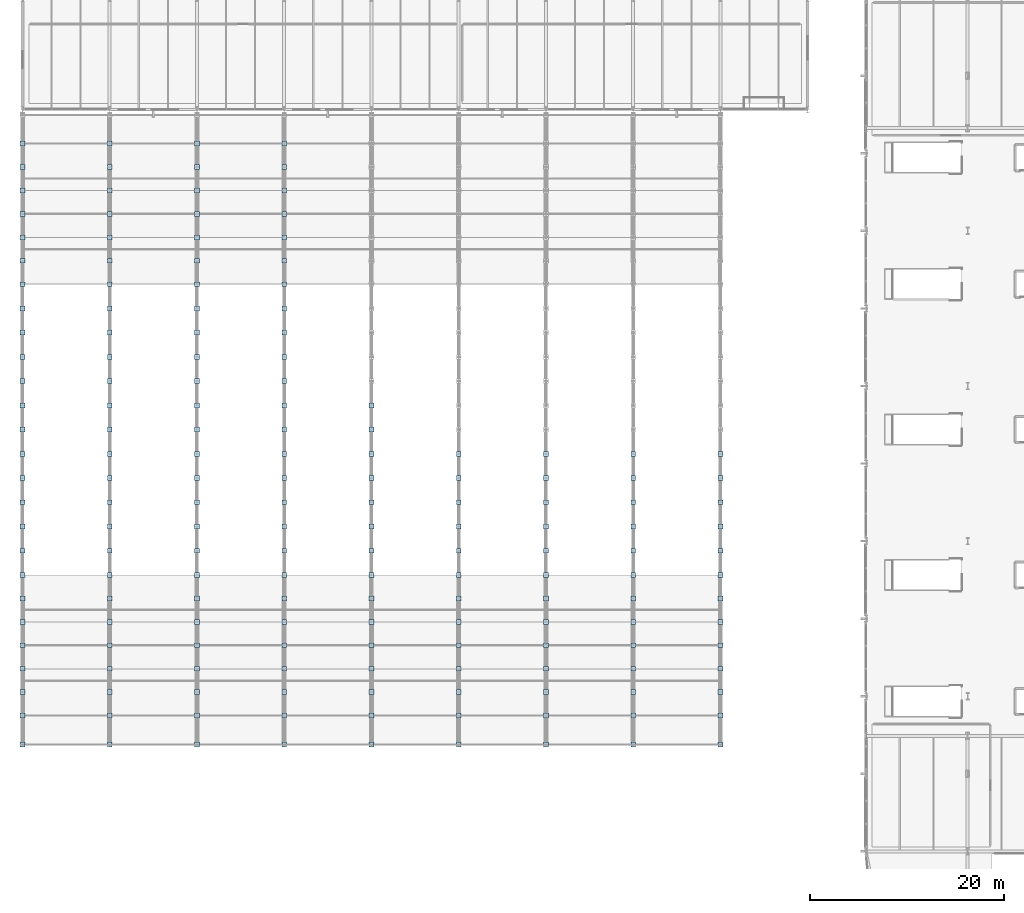
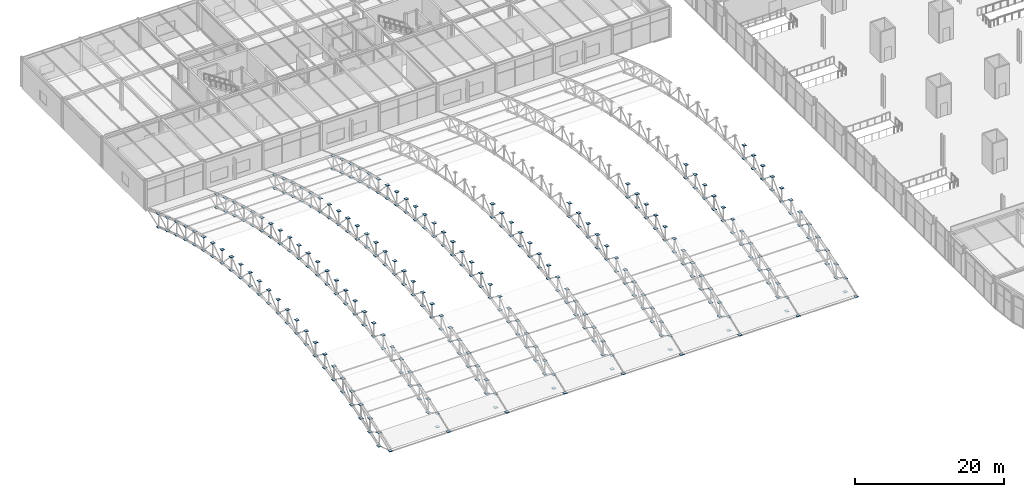
# One storey, part 104 of 195: 333 plates.
"""IFC4 building model written with IfcOpenShell, lengths in metres."""

from ifc_helpers import new_model, si_unit, direction, frame, origin, origin_2d, place, context, subcontext, project, spatial, rectangle, extrude, material, layer, layer_set, type_object, element, save


model = new_model("IFC4")

# Units and contexts
model_context = context("Model", 3, precision=1e-05, world=origin(), true_north=direction((0.0, 1.0)))
body_context = subcontext(model_context, "Body", "Model", "MODEL_VIEW")
ifc_project = project(units=[si_unit("LENGTHUNIT", "METRE"), si_unit("AREAUNIT", "SQUARE_METRE"), si_unit("VOLUMEUNIT", "CUBIC_METRE"), si_unit("PLANEANGLEUNIT", "RADIAN"), si_unit("MASSUNIT", "GRAM", prefix="KILO")], contexts=[model_context])

# Site, building, storey
site_placement = place(None, origin())
site = spatial("IfcSite", under=ifc_project, at=site_placement, CompositionType="ELEMENT")
building_placement = place(site_placement, origin())
building = spatial("IfcBuilding", under=site, at=building_placement, Name="Marlcrest Central Station", CompositionType="ELEMENT")
storey_placement = place(building_placement, frame((0.0, 0.0, 9.800048828125)))
storey = spatial("IfcBuildingStorey", under=building, at=storey_placement, Name="L02", CompositionType="ELEMENT", Elevation=9.800048828125)

# Plates
ifc_material = material(Name="Steel S355", Category="steel")
ifc_layer = layer(ifc_material, 0.02001953125, Name="GP-03")
ifc_layer_set = layer_set([ifc_layer], Name="Steel S355")
plate_type = type_object("IfcPlateType", Name="GP-03", PredefinedType="USERDEFINED", material=ifc_layer_set)
for number, where, z_axis, x_axis, name in (
    (1, (0.0, 33.5, 0.435791015625), (0.0, 0.0, 1.0), (1.0, 0.0, 0.0), "plt-cap-00113"),
    (2, (0.0, 36.5, 1.58984375), (0.0, 0.0, 1.0), (1.0, 0.0, 0.0), "plt-cap-00114"),
    (3, (0.0, 36.5, -0.610107421875), (0.0, 0.0, 1.0), (1.0, 0.0, 0.0), "plt-cap-00115"),
    (4, (0.0, 38.919921875, 0.239501953125), (0.0, 0.0, 1.0), (1.0, 0.0, 0.0), "plt-cap-00116"),
    (5, (0.0, 38.919921875, 2.439453125), (0.0, 0.0, 1.0), (1.0, 0.0, 0.0), "plt-cap-00117"),
    (6, (0.0, 41.330078125, 3.21337890625), (0.0, 0.0, 1.0), (1.0, 0.0, 0.0), "plt-cap-00118"),
    (7, (0.0, 41.330078125, 1.013427734375), (0.0, 0.0, 1.0), (1.0, 0.0, 0.0), "plt-cap-00119"),
    (8, (0.0, 43.75, 1.718017578125), (0.0, 0.0, 1.0), (1.0, 0.0, 0.0), "plt-cap-00120"),
    (9, (0.0, 43.75, 3.91796875), (0.0, 0.0, 1.0), (1.0, 0.0, 0.0), "plt-cap-00121"),
    (10, (0.0, 46.169921875, 4.550048828125), (0.0, 0.0, 1.0), (1.0, 0.0, 0.0), "plt-cap-00122"),
    (11, (0.0, 46.169921875, 2.349853515625), (0.0, 0.0, 1.0), (1.0, 0.0, 0.0), "plt-cap-00123"),
    (12, (0.0, 48.580078125, 2.906982421875), (0.0, 0.0, 1.0), (1.0, 0.0, 0.0), "plt-cap-00124"),
    (13, (0.0, 48.580078125, 5.10693359375), (0.0, 0.0, 1.0), (1.0, 0.0, 0.0), "plt-cap-00125"),
    (14, (0.0, 51.0, 5.59375), (0.0, 0.0, 1.0), (1.0, 0.0, 0.0), "plt-cap-00126"),
    (15, (0.0, 51.0, 3.393798828125), (0.0, 0.0, 1.0), (1.0, 0.0, 0.0), "plt-cap-00127"),
    (16, (0.0, 53.5, 3.820556640625), (0.0, 0.0, 1.0), (1.0, 0.0, 0.0), "plt-cap-00128"),
    (17, (0.0, 53.5, 6.0205078125), (0.0, 0.0, 1.0), (1.0, 0.0, 0.0), "plt-cap-00129"),
    (18, (0.0, 56.0, 6.369384765625), (0.0, 0.0, 1.0), (1.0, 0.0, 0.0), "plt-cap-00130"),
    (19, (0.0, 56.0, 4.16943359375), (0.0, 0.0, 1.0), (1.0, 0.0, 0.0), "plt-cap-00131"),
    (20, (0.0, 58.5, 4.44091796875), (0.0, 0.0, 1.0), (1.0, 0.0, 0.0), "plt-cap-00132"),
    (21, (0.0, 58.5, 6.640869140625), (0.0, 0.0, 1.0), (1.0, 0.0, 0.0), "plt-cap-00133"),
    (22, (0.0, 61.0, 6.8349609375), (0.0, 0.0, 1.0), (1.0, 0.0, 0.0), "plt-cap-00134"),
    (23, (0.0, 61.0, 4.634765625), (0.0, 0.0, 1.0), (1.0, 0.0, 0.0), "plt-cap-00135"),
    (24, (0.0, 63.5, 4.751220703125), (0.0, 0.0, 1.0), (1.0, 0.0, 0.0), "plt-cap-00136"),
    (25, (0.0, 63.5, 6.951171875), (0.0, 0.0, 1.0), (1.0, 0.0, 0.0), "plt-cap-00137"),
    (26, (0.0, 66.0, 6.989990234375), (0.0, 0.0, 1.0), (1.0, 0.0, 0.0), "plt-cap-00138"),
    (27, (0.0, 66.0, 4.7900390625), (0.0, 0.0, 1.0), (1.0, 0.0, 0.0), "plt-cap-00139"),
    (28, (0.0, 68.5, 4.751220703125), (0.0, 0.0, 1.0), (1.0, 0.0, 0.0), "plt-cap-00140"),
    (29, (0.0, 68.5, 6.951171875), (0.0, 0.0, 1.0), (1.0, 0.0, 0.0), "plt-cap-00141"),
    (30, (0.0, 71.0, 6.8349609375), (0.0, 0.0, 1.0), (1.0, 0.0, 0.0), "plt-cap-00142"),
    (31, (0.0, 71.0, 4.634765625), (0.0, 0.0, 1.0), (1.0, 0.0, 0.0), "plt-cap-00143"),
    (32, (0.0, 73.5, 4.44091796875), (0.0, 0.0, 1.0), (1.0, 0.0, 0.0), "plt-cap-00144"),
    (33, (0.0, 73.5, 6.640869140625), (0.0, 0.0, 1.0), (1.0, 0.0, 0.0), "plt-cap-00145"),
    (34, (0.0, 76.0, 6.369384765625), (0.0, 0.0, 1.0), (1.0, 0.0, 0.0), "plt-cap-00146"),
    (35, (0.0, 76.0, 4.16943359375), (0.0, 0.0, 1.0), (1.0, 0.0, 0.0), "plt-cap-00147"),
    (36, (0.0, 78.5, 3.820556640625), (0.0, 0.0, 1.0), (1.0, 0.0, 0.0), "plt-cap-00148"),
    (37, (0.0, 78.5, 6.0205078125), (0.0, 0.0, 1.0), (1.0, 0.0, 0.0), "plt-cap-00149"),
    (38, (0.0, 81.0, 5.59375), (0.0, 0.0, 1.0), (1.0, 0.0, 0.0), "plt-cap-00150"),
    (39, (0.0, 81.0, 3.393798828125), (0.0, 0.0, 1.0), (1.0, 0.0, 0.0), "plt-cap-00151"),
    (40, (0.0, 83.419921875, 2.906982421875), (0.0, 0.0, 1.0), (1.0, 0.0, 0.0), "plt-cap-00152"),
    (41, (0.0, 83.419921875, 5.10693359375), (0.0, 0.0, 1.0), (1.0, 0.0, 0.0), "plt-cap-00153"),
    (42, (0.0, 85.830078125, 4.550048828125), (0.0, 0.0, 1.0), (1.0, 0.0, 0.0), "plt-cap-00154"),
    (43, (0.0, 85.830078125, 2.349853515625), (0.0, 0.0, 1.0), (1.0, 0.0, 0.0), "plt-cap-00155"),
    (44, (0.0, 88.25, 1.718017578125), (0.0, 0.0, 1.0), (1.0, 0.0, 0.0), "plt-cap-00156"),
    (45, (0.0, 88.25, 3.91796875), (0.0, 0.0, 1.0), (1.0, 0.0, 0.0), "plt-cap-00157"),
    (46, (0.0, 90.669921875, 3.21337890625), (0.0, 0.0, 1.0), (1.0, 0.0, 0.0), "plt-cap-00158"),
    (47, (0.0, 90.669921875, 1.013427734375), (0.0, 0.0, 1.0), (1.0, 0.0, 0.0), "plt-cap-00159"),
    (48, (0.0, 93.080078125, 0.239501953125), (0.0, 0.0, 1.0), (1.0, 0.0, 0.0), "plt-cap-00160"),
    (49, (0.0, 95.5, -0.610107421875), (0.0, 0.0, 1.0), (1.0, 0.0, 0.0), "plt-cap-00161"),
    (50, (0.0, 93.080078125, 2.439453125), (0.0, 0.0, 1.0), (1.0, 0.0, 0.0), "plt-cap-00162"),
    (51, (0.0, 95.5, 1.58984375), (0.0, 0.0, 1.0), (1.0, 0.0, 0.0), "plt-cap-00163"),
    (52, (9.0, 33.5, 0.435791015625), (0.0, 0.0, 1.0), (1.0, 0.0, 0.0), "plt-cap-00165"),
    (53, (9.0, 36.5, 1.58984375), (0.0, 0.0, 1.0), (1.0, 0.0, 0.0), "plt-cap-00166"),
    (54, (9.0, 36.5, -0.610107421875), (0.0, 0.0, 1.0), (1.0, 0.0, 0.0), "plt-cap-00167"),
    (55, (9.0, 38.919921875, 0.239501953125), (0.0, 0.0, 1.0), (1.0, 0.0, 0.0), "plt-cap-00168"),
    (56, (9.0, 38.919921875, 2.439453125), (0.0, 0.0, 1.0), (1.0, 0.0, 0.0), "plt-cap-00169"),
    (57, (9.0, 41.330078125, 3.21337890625), (0.0, 0.0, 1.0), (1.0, 0.0, 0.0), "plt-cap-00170"),
    (58, (9.0, 41.330078125, 1.013427734375), (0.0, 0.0, 1.0), (1.0, 0.0, 0.0), "plt-cap-00171"),
    (59, (9.0, 43.75, 1.718017578125), (0.0, 0.0, 1.0), (1.0, 0.0, 0.0), "plt-cap-00172"),
    (60, (9.0, 43.75, 3.91796875), (0.0, 0.0, 1.0), (1.0, 0.0, 0.0), "plt-cap-00173"),
    (61, (9.0, 46.169921875, 4.550048828125), (0.0, 0.0, 1.0), (1.0, 0.0, 0.0), "plt-cap-00174"),
    (62, (9.0, 46.169921875, 2.349853515625), (0.0, 0.0, 1.0), (1.0, 0.0, 0.0), "plt-cap-00175"),
    (63, (9.0, 48.580078125, 2.906982421875), (0.0, 0.0, 1.0), (1.0, 0.0, 0.0), "plt-cap-00176"),
    (64, (9.0, 48.580078125, 5.10693359375), (0.0, 0.0, 1.0), (1.0, 0.0, 0.0), "plt-cap-00177"),
    (65, (9.0, 51.0, 5.59375), (0.0, 0.0, 1.0), (1.0, 0.0, 0.0), "plt-cap-00178"),
    (66, (9.0, 51.0, 3.393798828125), (0.0, 0.0, 1.0), (1.0, 0.0, 0.0), "plt-cap-00179"),
    (67, (9.0, 53.5, 3.820556640625), (0.0, 0.0, 1.0), (1.0, 0.0, 0.0), "plt-cap-00180"),
    (68, (9.0, 53.5, 6.0205078125), (0.0, 0.0, 1.0), (1.0, 0.0, 0.0), "plt-cap-00181"),
    (69, (9.0, 56.0, 6.369384765625), (0.0, 0.0, 1.0), (1.0, 0.0, 0.0), "plt-cap-00182"),
    (70, (9.0, 56.0, 4.16943359375), (0.0, 0.0, 1.0), (1.0, 0.0, 0.0), "plt-cap-00183"),
    (71, (9.0, 58.5, 4.44091796875), (0.0, 0.0, 1.0), (1.0, 0.0, 0.0), "plt-cap-00184"),
    (72, (9.0, 58.5, 6.640869140625), (0.0, 0.0, 1.0), (1.0, 0.0, 0.0), "plt-cap-00185"),
    (73, (9.0, 61.0, 6.8349609375), (0.0, 0.0, 1.0), (1.0, 0.0, 0.0), "plt-cap-00186"),
    (74, (9.0, 61.0, 4.634765625), (0.0, 0.0, 1.0), (1.0, 0.0, 0.0), "plt-cap-00187"),
    (75, (9.0, 63.5, 4.751220703125), (0.0, 0.0, 1.0), (1.0, 0.0, 0.0), "plt-cap-00188"),
    (76, (9.0, 63.5, 6.951171875), (0.0, 0.0, 1.0), (1.0, 0.0, 0.0), "plt-cap-00189"),
    (77, (9.0, 66.0, 6.989990234375), (0.0, 0.0, 1.0), (1.0, 0.0, 0.0), "plt-cap-00190"),
    (78, (9.0, 66.0, 4.7900390625), (0.0, 0.0, 1.0), (1.0, 0.0, 0.0), "plt-cap-00191"),
    (79, (9.0, 68.5, 4.751220703125), (0.0, 0.0, 1.0), (1.0, 0.0, 0.0), "plt-cap-00192"),
    (80, (9.0, 68.5, 6.951171875), (0.0, 0.0, 1.0), (1.0, 0.0, 0.0), "plt-cap-00193"),
    (81, (9.0, 71.0, 6.8349609375), (0.0, 0.0, 1.0), (1.0, 0.0, 0.0), "plt-cap-00194"),
    (82, (9.0, 71.0, 4.634765625), (0.0, 0.0, 1.0), (1.0, 0.0, 0.0), "plt-cap-00195"),
    (83, (9.0, 73.5, 4.44091796875), (0.0, 0.0, 1.0), (1.0, 0.0, 0.0), "plt-cap-00196"),
    (84, (9.0, 73.5, 6.640869140625), (0.0, 0.0, 1.0), (1.0, 0.0, 0.0), "plt-cap-00197"),
    (85, (9.0, 76.0, 6.369384765625), (0.0, 0.0, 1.0), (1.0, 0.0, 0.0), "plt-cap-00198"),
    (86, (9.0, 76.0, 4.16943359375), (0.0, 0.0, 1.0), (1.0, 0.0, 0.0), "plt-cap-00199"),
    (87, (9.0, 78.5, 3.820556640625), (0.0, 0.0, 1.0), (1.0, 0.0, 0.0), "plt-cap-00200"),
    (88, (9.0, 78.5, 6.0205078125), (0.0, 0.0, 1.0), (1.0, 0.0, 0.0), "plt-cap-00201"),
    (89, (9.0, 81.0, 5.59375), (0.0, 0.0, 1.0), (1.0, 0.0, 0.0), "plt-cap-00202"),
    (90, (9.0, 81.0, 3.393798828125), (0.0, 0.0, 1.0), (1.0, 0.0, 0.0), "plt-cap-00203"),
    (91, (9.0, 83.419921875, 2.906982421875), (0.0, 0.0, 1.0), (1.0, 0.0, 0.0), "plt-cap-00204"),
    (92, (9.0, 83.419921875, 5.10693359375), (0.0, 0.0, 1.0), (1.0, 0.0, 0.0), "plt-cap-00205"),
    (93, (9.0, 85.830078125, 4.550048828125), (0.0, 0.0, 1.0), (1.0, 0.0, 0.0), "plt-cap-00206"),
    (94, (9.0, 85.830078125, 2.349853515625), (0.0, 0.0, 1.0), (1.0, 0.0, 0.0), "plt-cap-00207"),
    (95, (9.0, 88.25, 1.718017578125), (0.0, 0.0, 1.0), (1.0, 0.0, 0.0), "plt-cap-00208"),
    (96, (9.0, 88.25, 3.91796875), (0.0, 0.0, 1.0), (1.0, 0.0, 0.0), "plt-cap-00209"),
    (97, (9.0, 90.669921875, 3.21337890625), (0.0, 0.0, 1.0), (1.0, 0.0, 0.0), "plt-cap-00210"),
    (98, (9.0, 90.669921875, 1.013427734375), (0.0, 0.0, 1.0), (1.0, 0.0, 0.0), "plt-cap-00211"),
    (99, (9.0, 93.080078125, 0.239501953125), (0.0, 0.0, 1.0), (1.0, 0.0, 0.0), "plt-cap-00212"),
    (100, (9.0, 95.5, -0.610107421875), (0.0, 0.0, 1.0), (1.0, 0.0, 0.0), "plt-cap-00213"),
    (101, (9.0, 93.080078125, 2.439453125), (0.0, 0.0, 1.0), (1.0, 0.0, 0.0), "plt-cap-00214"),
    (102, (9.0, 95.5, 1.58984375), (0.0, 0.0, 1.0), (1.0, 0.0, 0.0), "plt-cap-00215"),
    (103, (18.0, 33.5, 0.435791015625), (0.0, 0.0, 1.0), (1.0, 0.0, 0.0), "plt-cap-00217"),
    (104, (18.0, 36.5, 1.58984375), (0.0, 0.0, 1.0), (1.0, 0.0, 0.0), "plt-cap-00218"),
    (105, (18.0, 36.5, -0.610107421875), (0.0, 0.0, 1.0), (1.0, 0.0, 0.0), "plt-cap-00219"),
    (106, (18.0, 38.919921875, 0.239501953125), (0.0, 0.0, 1.0), (1.0, 0.0, 0.0), "plt-cap-00220"),
    (107, (18.0, 38.919921875, 2.439453125), (0.0, 0.0, 1.0), (1.0, 0.0, 0.0), "plt-cap-00221"),
    (108, (18.0, 41.330078125, 3.21337890625), (0.0, 0.0, 1.0), (1.0, 0.0, 0.0), "plt-cap-00222"),
    (109, (18.0, 41.330078125, 1.013427734375), (0.0, 0.0, 1.0), (1.0, 0.0, 0.0), "plt-cap-00223"),
    (110, (18.0, 43.75, 1.718017578125), (0.0, 0.0, 1.0), (1.0, 0.0, 0.0), "plt-cap-00224"),
    (111, (18.0, 43.75, 3.91796875), (0.0, 0.0, 1.0), (1.0, 0.0, 0.0), "plt-cap-00225"),
    (112, (18.0, 46.169921875, 4.550048828125), (0.0, 0.0, 1.0), (1.0, 0.0, 0.0), "plt-cap-00226"),
    (113, (18.0, 46.169921875, 2.349853515625), (0.0, 0.0, 1.0), (1.0, 0.0, 0.0), "plt-cap-00227"),
    (114, (18.0, 48.580078125, 2.906982421875), (0.0, 0.0, 1.0), (1.0, 0.0, 0.0), "plt-cap-00228"),
    (115, (18.0, 48.580078125, 5.10693359375), (0.0, 0.0, 1.0), (1.0, 0.0, 0.0), "plt-cap-00229"),
    (116, (18.0, 51.0, 5.59375), (0.0, 0.0, 1.0), (1.0, 0.0, 0.0), "plt-cap-00230"),
    (117, (18.0, 51.0, 3.393798828125), (0.0, 0.0, 1.0), (1.0, 0.0, 0.0), "plt-cap-00231"),
    (118, (18.0, 53.5, 3.820556640625), (0.0, 0.0, 1.0), (1.0, 0.0, 0.0), "plt-cap-00232"),
    (119, (18.0, 53.5, 6.0205078125), (0.0, 0.0, 1.0), (1.0, 0.0, 0.0), "plt-cap-00233"),
    (120, (18.0, 56.0, 6.369384765625), (0.0, 0.0, 1.0), (1.0, 0.0, 0.0), "plt-cap-00234"),
    (121, (18.0, 56.0, 4.16943359375), (0.0, 0.0, 1.0), (1.0, 0.0, 0.0), "plt-cap-00235"),
    (122, (18.0, 58.5, 4.44091796875), (0.0, 0.0, 1.0), (1.0, 0.0, 0.0), "plt-cap-00236"),
    (123, (18.0, 58.5, 6.640869140625), (0.0, 0.0, 1.0), (1.0, 0.0, 0.0), "plt-cap-00237"),
    (124, (18.0, 61.0, 6.8349609375), (0.0, 0.0, 1.0), (1.0, 0.0, 0.0), "plt-cap-00238"),
    (125, (18.0, 61.0, 4.634765625), (0.0, 0.0, 1.0), (1.0, 0.0, 0.0), "plt-cap-00239"),
    (126, (18.0, 63.5, 4.751220703125), (0.0, 0.0, 1.0), (1.0, 0.0, 0.0), "plt-cap-00240"),
    (127, (18.0, 63.5, 6.951171875), (0.0, 0.0, 1.0), (1.0, 0.0, 0.0), "plt-cap-00241"),
    (128, (18.0, 66.0, 6.989990234375), (0.0, 0.0, 1.0), (1.0, 0.0, 0.0), "plt-cap-00242"),
    (129, (18.0, 66.0, 4.7900390625), (0.0, 0.0, 1.0), (1.0, 0.0, 0.0), "plt-cap-00243"),
    (130, (18.0, 68.5, 4.751220703125), (0.0, 0.0, 1.0), (1.0, 0.0, 0.0), "plt-cap-00244"),
    (131, (18.0, 68.5, 6.951171875), (0.0, 0.0, 1.0), (1.0, 0.0, 0.0), "plt-cap-00245"),
    (132, (18.0, 71.0, 6.8349609375), (0.0, 0.0, 1.0), (1.0, 0.0, 0.0), "plt-cap-00246"),
    (133, (18.0, 71.0, 4.634765625), (0.0, 0.0, 1.0), (1.0, 0.0, 0.0), "plt-cap-00247"),
    (134, (18.0, 73.5, 4.44091796875), (0.0, 0.0, 1.0), (1.0, 0.0, 0.0), "plt-cap-00248"),
    (135, (18.0, 73.5, 6.640869140625), (0.0, 0.0, 1.0), (1.0, 0.0, 0.0), "plt-cap-00249"),
    (136, (18.0, 76.0, 6.369384765625), (0.0, 0.0, 1.0), (1.0, 0.0, 0.0), "plt-cap-00250"),
    (137, (18.0, 76.0, 4.16943359375), (0.0, 0.0, 1.0), (1.0, 0.0, 0.0), "plt-cap-00251"),
    (138, (18.0, 78.5, 3.820556640625), (0.0, 0.0, 1.0), (1.0, 0.0, 0.0), "plt-cap-00252"),
    (139, (18.0, 78.5, 6.0205078125), (0.0, 0.0, 1.0), (1.0, 0.0, 0.0), "plt-cap-00253"),
    (140, (18.0, 81.0, 5.59375), (0.0, 0.0, 1.0), (1.0, 0.0, 0.0), "plt-cap-00254"),
    (141, (18.0, 81.0, 3.393798828125), (0.0, 0.0, 1.0), (1.0, 0.0, 0.0), "plt-cap-00255"),
    (142, (18.0, 83.419921875, 2.906982421875), (0.0, 0.0, 1.0), (1.0, 0.0, 0.0), "plt-cap-00256"),
    (143, (18.0, 83.419921875, 5.10693359375), (0.0, 0.0, 1.0), (1.0, 0.0, 0.0), "plt-cap-00257"),
    (144, (18.0, 85.830078125, 4.550048828125), (0.0, 0.0, 1.0), (1.0, 0.0, 0.0), "plt-cap-00258"),
    (145, (18.0, 85.830078125, 2.349853515625), (0.0, 0.0, 1.0), (1.0, 0.0, 0.0), "plt-cap-00259"),
    (146, (18.0, 88.25, 1.718017578125), (0.0, 0.0, 1.0), (1.0, 0.0, 0.0), "plt-cap-00260"),
    (147, (18.0, 88.25, 3.91796875), (0.0, 0.0, 1.0), (1.0, 0.0, 0.0), "plt-cap-00261"),
    (148, (18.0, 90.669921875, 3.21337890625), (0.0, 0.0, 1.0), (1.0, 0.0, 0.0), "plt-cap-00262"),
    (149, (18.0, 90.669921875, 1.013427734375), (0.0, 0.0, 1.0), (1.0, 0.0, 0.0), "plt-cap-00263"),
    (150, (18.0, 93.080078125, 0.239501953125), (0.0, 0.0, 1.0), (1.0, 0.0, 0.0), "plt-cap-00264"),
    (151, (18.0, 95.5, -0.610107421875), (0.0, 0.0, 1.0), (1.0, 0.0, 0.0), "plt-cap-00265"),
    (152, (18.0, 93.080078125, 2.439453125), (0.0, 0.0, 1.0), (1.0, 0.0, 0.0), "plt-cap-00266"),
    (153, (18.0, 95.5, 1.58984375), (0.0, 0.0, 1.0), (1.0, 0.0, 0.0), "plt-cap-00267"),
    (154, (27.0, 33.5, 0.435791015625), (0.0, 0.0, 1.0), (1.0, 0.0, 0.0), "plt-cap-00269"),
    (155, (27.0, 36.5, 1.58984375), (0.0, 0.0, 1.0), (1.0, 0.0, 0.0), "plt-cap-00270"),
    (156, (27.0, 36.5, -0.610107421875), (0.0, 0.0, 1.0), (1.0, 0.0, 0.0), "plt-cap-00271"),
    (157, (27.0, 38.919921875, 0.239501953125), (0.0, 0.0, 1.0), (1.0, 0.0, 0.0), "plt-cap-00272"),
    (158, (27.0, 38.919921875, 2.439453125), (0.0, 0.0, 1.0), (1.0, 0.0, 0.0), "plt-cap-00273"),
    (159, (27.0, 41.330078125, 3.21337890625), (0.0, 0.0, 1.0), (1.0, 0.0, 0.0), "plt-cap-00274"),
    (160, (27.0, 41.330078125, 1.013427734375), (0.0, 0.0, 1.0), (1.0, 0.0, 0.0), "plt-cap-00275"),
    (161, (27.0, 43.75, 1.718017578125), (0.0, 0.0, 1.0), (1.0, 0.0, 0.0), "plt-cap-00276"),
    (162, (27.0, 43.75, 3.91796875), (0.0, 0.0, 1.0), (1.0, 0.0, 0.0), "plt-cap-00277"),
    (163, (27.0, 46.169921875, 4.550048828125), (0.0, 0.0, 1.0), (1.0, 0.0, 0.0), "plt-cap-00278"),
    (164, (27.0, 46.169921875, 2.349853515625), (0.0, 0.0, 1.0), (1.0, 0.0, 0.0), "plt-cap-00279"),
    (165, (27.0, 48.580078125, 2.906982421875), (0.0, 0.0, 1.0), (1.0, 0.0, 0.0), "plt-cap-00280"),
    (166, (27.0, 48.580078125, 5.10693359375), (0.0, 0.0, 1.0), (1.0, 0.0, 0.0), "plt-cap-00281"),
    (167, (27.0, 51.0, 5.59375), (0.0, 0.0, 1.0), (1.0, 0.0, 0.0), "plt-cap-00282"),
    (168, (27.0, 51.0, 3.393798828125), (0.0, 0.0, 1.0), (1.0, 0.0, 0.0), "plt-cap-00283"),
    (169, (27.0, 53.5, 3.820556640625), (0.0, 0.0, 1.0), (1.0, 0.0, 0.0), "plt-cap-00284"),
    (170, (27.0, 53.5, 6.0205078125), (0.0, 0.0, 1.0), (1.0, 0.0, 0.0), "plt-cap-00285"),
    (171, (27.0, 56.0, 6.369384765625), (0.0, 0.0, 1.0), (1.0, 0.0, 0.0), "plt-cap-00286"),
    (172, (27.0, 56.0, 4.16943359375), (0.0, 0.0, 1.0), (1.0, 0.0, 0.0), "plt-cap-00287"),
    (173, (27.0, 58.5, 4.44091796875), (0.0, 0.0, 1.0), (1.0, 0.0, 0.0), "plt-cap-00288"),
    (174, (27.0, 58.5, 6.640869140625), (0.0, 0.0, 1.0), (1.0, 0.0, 0.0), "plt-cap-00289"),
    (175, (27.0, 61.0, 6.8349609375), (0.0, 0.0, 1.0), (1.0, 0.0, 0.0), "plt-cap-00290"),
    (176, (27.0, 61.0, 4.634765625), (0.0, 0.0, 1.0), (1.0, 0.0, 0.0), "plt-cap-00291"),
    (177, (27.0, 63.5, 4.751220703125), (0.0, 0.0, 1.0), (1.0, 0.0, 0.0), "plt-cap-00292"),
    (178, (27.0, 63.5, 6.951171875), (0.0, 0.0, 1.0), (1.0, 0.0, 0.0), "plt-cap-00293"),
    (179, (27.0, 66.0, 6.989990234375), (0.0, 0.0, 1.0), (1.0, 0.0, 0.0), "plt-cap-00294"),
    (180, (27.0, 66.0, 4.7900390625), (0.0, 0.0, 1.0), (1.0, 0.0, 0.0), "plt-cap-00295"),
    (181, (27.0, 68.5, 4.751220703125), (0.0, 0.0, 1.0), (1.0, 0.0, 0.0), "plt-cap-00296"),
    (182, (27.0, 68.5, 6.951171875), (0.0, 0.0, 1.0), (1.0, 0.0, 0.0), "plt-cap-00297"),
    (183, (27.0, 71.0, 6.8349609375), (0.0, 0.0, 1.0), (1.0, 0.0, 0.0), "plt-cap-00298"),
    (184, (27.0, 71.0, 4.634765625), (0.0, 0.0, 1.0), (1.0, 0.0, 0.0), "plt-cap-00299"),
    (185, (27.0, 73.5, 4.44091796875), (0.0, 0.0, 1.0), (1.0, 0.0, 0.0), "plt-cap-00300"),
    (186, (27.0, 73.5, 6.640869140625), (0.0, 0.0, 1.0), (1.0, 0.0, 0.0), "plt-cap-00301"),
    (187, (27.0, 76.0, 6.369384765625), (0.0, 0.0, 1.0), (1.0, 0.0, 0.0), "plt-cap-00302"),
    (188, (27.0, 76.0, 4.16943359375), (0.0, 0.0, 1.0), (1.0, 0.0, 0.0), "plt-cap-00303"),
    (189, (27.0, 78.5, 3.820556640625), (0.0, 0.0, 1.0), (1.0, 0.0, 0.0), "plt-cap-00304"),
    (190, (27.0, 78.5, 6.0205078125), (0.0, 0.0, 1.0), (1.0, 0.0, 0.0), "plt-cap-00305"),
    (191, (27.0, 81.0, 5.59375), (0.0, 0.0, 1.0), (1.0, 0.0, 0.0), "plt-cap-00306"),
    (192, (27.0, 81.0, 3.393798828125), (0.0, 0.0, 1.0), (1.0, 0.0, 0.0), "plt-cap-00307"),
    (193, (27.0, 83.419921875, 2.906982421875), (0.0, 0.0, 1.0), (1.0, 0.0, 0.0), "plt-cap-00308"),
    (194, (27.0, 83.419921875, 5.10693359375), (0.0, 0.0, 1.0), (1.0, 0.0, 0.0), "plt-cap-00309"),
    (195, (27.0, 85.830078125, 4.550048828125), (0.0, 0.0, 1.0), (1.0, 0.0, 0.0), "plt-cap-00310"),
    (196, (27.0, 85.830078125, 2.349853515625), (0.0, 0.0, 1.0), (1.0, 0.0, 0.0), "plt-cap-00311"),
    (197, (27.0, 88.25, 1.718017578125), (0.0, 0.0, 1.0), (1.0, 0.0, 0.0), "plt-cap-00312"),
    (198, (27.0, 88.25, 3.91796875), (0.0, 0.0, 1.0), (1.0, 0.0, 0.0), "plt-cap-00313"),
    (199, (27.0, 90.669921875, 3.21337890625), (0.0, 0.0, 1.0), (1.0, 0.0, 0.0), "plt-cap-00314"),
    (200, (27.0, 90.669921875, 1.013427734375), (0.0, 0.0, 1.0), (1.0, 0.0, 0.0), "plt-cap-00315"),
    (201, (27.0, 93.080078125, 0.239501953125), (0.0, 0.0, 1.0), (1.0, 0.0, 0.0), "plt-cap-00316"),
    (202, (27.0, 95.5, -0.610107421875), (0.0, 0.0, 1.0), (1.0, 0.0, 0.0), "plt-cap-00317"),
    (203, (27.0, 93.080078125, 2.439453125), (0.0, 0.0, 1.0), (1.0, 0.0, 0.0), "plt-cap-00318"),
    (204, (27.0, 95.5, 1.58984375), (0.0, 0.0, 1.0), (1.0, 0.0, 0.0), "plt-cap-00319"),
    (205, (36.0, 33.5, 0.435791015625), (0.0, 0.0, 1.0), (1.0, 0.0, 0.0), "plt-cap-00321"),
    (206, (36.0, 36.5, 1.58984375), (0.0, 0.0, 1.0), (1.0, 0.0, 0.0), "plt-cap-00322"),
    (207, (36.0, 36.5, -0.610107421875), (0.0, 0.0, 1.0), (1.0, 0.0, 0.0), "plt-cap-00323"),
    (208, (36.0, 38.919921875, 0.239501953125), (0.0, 0.0, 1.0), (1.0, 0.0, 0.0), "plt-cap-00324"),
    (209, (36.0, 38.919921875, 2.439453125), (0.0, 0.0, 1.0), (1.0, 0.0, 0.0), "plt-cap-00325"),
    (210, (36.0, 41.330078125, 3.21337890625), (0.0, 0.0, 1.0), (1.0, 0.0, 0.0), "plt-cap-00326"),
    (211, (36.0, 41.330078125, 1.013427734375), (0.0, 0.0, 1.0), (1.0, 0.0, 0.0), "plt-cap-00327"),
    (212, (36.0, 43.75, 1.718017578125), (0.0, 0.0, 1.0), (1.0, 0.0, 0.0), "plt-cap-00328"),
    (213, (36.0, 43.75, 3.91796875), (0.0, 0.0, 1.0), (1.0, 0.0, 0.0), "plt-cap-00329"),
    (214, (36.0, 46.169921875, 4.550048828125), (0.0, 0.0, 1.0), (1.0, 0.0, 0.0), "plt-cap-00330"),
    (215, (36.0, 46.169921875, 2.349853515625), (0.0, 0.0, 1.0), (1.0, 0.0, 0.0), "plt-cap-00331"),
    (216, (36.0, 48.580078125, 2.906982421875), (0.0, 0.0, 1.0), (1.0, 0.0, 0.0), "plt-cap-00332"),
    (217, (36.0, 48.580078125, 5.10693359375), (0.0, 0.0, 1.0), (1.0, 0.0, 0.0), "plt-cap-00333"),
    (218, (36.0, 51.0, 5.59375), (0.0, 0.0, 1.0), (1.0, 0.0, 0.0), "plt-cap-00334"),
    (219, (36.0, 51.0, 3.393798828125), (0.0, 0.0, 1.0), (1.0, 0.0, 0.0), "plt-cap-00335"),
    (220, (36.0, 53.5, 3.820556640625), (0.0, 0.0, 1.0), (1.0, 0.0, 0.0), "plt-cap-00336"),
    (221, (36.0, 53.5, 6.0205078125), (0.0, 0.0, 1.0), (1.0, 0.0, 0.0), "plt-cap-00337"),
    (222, (36.0, 56.0, 6.369384765625), (0.0, 0.0, 1.0), (1.0, 0.0, 0.0), "plt-cap-00338"),
    (223, (36.0, 56.0, 4.16943359375), (0.0, 0.0, 1.0), (1.0, 0.0, 0.0), "plt-cap-00339"),
    (224, (36.0, 58.5, 4.44091796875), (0.0, 0.0, 1.0), (1.0, 0.0, 0.0), "plt-cap-00340"),
    (225, (36.0, 58.5, 6.640869140625), (0.0, 0.0, 1.0), (1.0, 0.0, 0.0), "plt-cap-00341"),
    (226, (36.0, 61.0, 6.8349609375), (0.0, 0.0, 1.0), (1.0, 0.0, 0.0), "plt-cap-00342"),
    (227, (36.0, 61.0, 4.634765625), (0.0, 0.0, 1.0), (1.0, 0.0, 0.0), "plt-cap-00343"),
    (228, (36.0, 63.5, 4.751220703125), (0.0, 0.0, 1.0), (1.0, 0.0, 0.0), "plt-cap-00344"),
    (229, (36.0, 63.5, 6.951171875), (0.0, 0.0, 1.0), (1.0, 0.0, 0.0), "plt-cap-00345"),
    (230, (36.0, 66.0, 6.989990234375), (0.0, 0.0, 1.0), (1.0, 0.0, 0.0), "plt-cap-00346"),
    (231, (36.0, 66.0, 4.7900390625), (0.0, 0.0, 1.0), (1.0, 0.0, 0.0), "plt-cap-00347"),
    (232, (36.0, 68.5, 4.751220703125), (0.0, 0.0, 1.0), (1.0, 0.0, 0.0), "plt-cap-00348"),
    (233, (36.0, 68.5, 6.951171875), (0.0, 0.0, 1.0), (1.0, 0.0, 0.0), "plt-cap-00349"),
    (234, (45.0, 33.5, 0.435791015625), (0.0, 0.0, 1.0), (1.0, 0.0, 0.0), "plt-cap-00373"),
    (235, (45.0, 36.5, 1.58984375), (0.0, 0.0, 1.0), (1.0, 0.0, 0.0), "plt-cap-00374"),
    (236, (45.0, 36.5, -0.610107421875), (0.0, 0.0, 1.0), (1.0, 0.0, 0.0), "plt-cap-00375"),
    (237, (45.0, 38.919921875, 0.239501953125), (0.0, 0.0, 1.0), (1.0, 0.0, 0.0), "plt-cap-00376"),
    (238, (45.0, 38.919921875, 2.439453125), (0.0, 0.0, 1.0), (1.0, 0.0, 0.0), "plt-cap-00377"),
    (239, (45.0, 41.330078125, 3.21337890625), (0.0, 0.0, 1.0), (1.0, 0.0, 0.0), "plt-cap-00378"),
    (240, (45.0, 41.330078125, 1.013427734375), (0.0, 0.0, 1.0), (1.0, 0.0, 0.0), "plt-cap-00379"),
    (241, (45.0, 43.75, 1.718017578125), (0.0, 0.0, 1.0), (1.0, 0.0, 0.0), "plt-cap-00380"),
    (242, (45.0, 43.75, 3.91796875), (0.0, 0.0, 1.0), (1.0, 0.0, 0.0), "plt-cap-00381"),
    (243, (45.0, 46.169921875, 4.550048828125), (0.0, 0.0, 1.0), (1.0, 0.0, 0.0), "plt-cap-00382"),
    (244, (45.0, 46.169921875, 2.349853515625), (0.0, 0.0, 1.0), (1.0, 0.0, 0.0), "plt-cap-00383"),
    (245, (45.0, 48.580078125, 2.906982421875), (0.0, 0.0, 1.0), (1.0, 0.0, 0.0), "plt-cap-00384"),
    (246, (45.0, 48.580078125, 5.10693359375), (0.0, 0.0, 1.0), (1.0, 0.0, 0.0), "plt-cap-00385"),
    (247, (45.0, 51.0, 5.59375), (0.0, 0.0, 1.0), (1.0, 0.0, 0.0), "plt-cap-00386"),
    (248, (45.0, 51.0, 3.393798828125), (0.0, 0.0, 1.0), (1.0, 0.0, 0.0), "plt-cap-00387"),
    (249, (45.0, 53.5, 3.820556640625), (0.0, 0.0, 1.0), (1.0, 0.0, 0.0), "plt-cap-00388"),
    (250, (45.0, 53.5, 6.0205078125), (0.0, 0.0, 1.0), (1.0, 0.0, 0.0), "plt-cap-00389"),
    (251, (45.0, 56.0, 6.369384765625), (0.0, 0.0, 1.0), (1.0, 0.0, 0.0), "plt-cap-00390"),
    (252, (45.0, 56.0, 4.16943359375), (0.0, 0.0, 1.0), (1.0, 0.0, 0.0), "plt-cap-00391"),
    (253, (45.0, 58.5, 4.44091796875), (0.0, 0.0, 1.0), (1.0, 0.0, 0.0), "plt-cap-00392"),
    (254, (45.0, 58.5, 6.640869140625), (0.0, 0.0, 1.0), (1.0, 0.0, 0.0), "plt-cap-00393"),
    (255, (45.0, 61.0, 6.8349609375), (0.0, 0.0, 1.0), (1.0, 0.0, 0.0), "plt-cap-00394"),
    (256, (45.0, 61.0, 4.634765625), (0.0, 0.0, 1.0), (1.0, 0.0, 0.0), "plt-cap-00395"),
    (257, (45.0, 63.5, 4.751220703125), (0.0, 0.0, 1.0), (1.0, 0.0, 0.0), "plt-cap-00396"),
    (258, (45.0, 63.5, 6.951171875), (0.0, 0.0, 1.0), (1.0, 0.0, 0.0), "plt-cap-00397"),
    (259, (54.0, 33.5, 0.435791015625), (0.0, 0.0, 1.0), (1.0, 0.0, 0.0), "plt-cap-00425"),
    (260, (54.0, 36.5, 1.58984375), (0.0, 0.0, 1.0), (1.0, 0.0, 0.0), "plt-cap-00426"),
    (261, (54.0, 36.5, -0.610107421875), (0.0, 0.0, 1.0), (1.0, 0.0, 0.0), "plt-cap-00427"),
    (262, (54.0, 38.919921875, 0.239501953125), (0.0, 0.0, 1.0), (1.0, 0.0, 0.0), "plt-cap-00428"),
    (263, (54.0, 38.919921875, 2.439453125), (0.0, 0.0, 1.0), (1.0, 0.0, 0.0), "plt-cap-00429"),
    (264, (54.0, 41.330078125, 3.21337890625), (0.0, 0.0, 1.0), (1.0, 0.0, 0.0), "plt-cap-00430"),
    (265, (54.0, 41.330078125, 1.013427734375), (0.0, 0.0, 1.0), (1.0, 0.0, 0.0), "plt-cap-00431"),
    (266, (54.0, 43.75, 1.718017578125), (0.0, 0.0, 1.0), (1.0, 0.0, 0.0), "plt-cap-00432"),
    (267, (54.0, 43.75, 3.91796875), (0.0, 0.0, 1.0), (1.0, 0.0, 0.0), "plt-cap-00433"),
    (268, (54.0, 46.169921875, 4.550048828125), (0.0, 0.0, 1.0), (1.0, 0.0, 0.0), "plt-cap-00434"),
    (269, (54.0, 46.169921875, 2.349853515625), (0.0, 0.0, 1.0), (1.0, 0.0, 0.0), "plt-cap-00435"),
    (270, (54.0, 48.580078125, 2.906982421875), (0.0, 0.0, 1.0), (1.0, 0.0, 0.0), "plt-cap-00436"),
    (271, (54.0, 48.580078125, 5.10693359375), (0.0, 0.0, 1.0), (1.0, 0.0, 0.0), "plt-cap-00437"),
    (272, (54.0, 51.0, 5.59375), (0.0, 0.0, 1.0), (1.0, 0.0, 0.0), "plt-cap-00438"),
    (273, (54.0, 51.0, 3.393798828125), (0.0, 0.0, 1.0), (1.0, 0.0, 0.0), "plt-cap-00439"),
    (274, (54.0, 53.5, 3.820556640625), (0.0, 0.0, 1.0), (1.0, 0.0, 0.0), "plt-cap-00440"),
    (275, (54.0, 53.5, 6.0205078125), (0.0, 0.0, 1.0), (1.0, 0.0, 0.0), "plt-cap-00441"),
    (276, (54.0, 56.0, 6.369384765625), (0.0, 0.0, 1.0), (1.0, 0.0, 0.0), "plt-cap-00442"),
    (277, (54.0, 56.0, 4.16943359375), (0.0, 0.0, 1.0), (1.0, 0.0, 0.0), "plt-cap-00443"),
    (278, (54.0, 58.5, 4.44091796875), (0.0, 0.0, 1.0), (1.0, 0.0, 0.0), "plt-cap-00444"),
    (279, (54.0, 58.5, 6.640869140625), (0.0, 0.0, 1.0), (1.0, 0.0, 0.0), "plt-cap-00445"),
    (280, (54.0, 61.0, 6.8349609375), (0.0, 0.0, 1.0), (1.0, 0.0, 0.0), "plt-cap-00446"),
    (281, (54.0, 61.0, 4.634765625), (0.0, 0.0, 1.0), (1.0, 0.0, 0.0), "plt-cap-00447"),
    (282, (54.0, 63.5, 4.751220703125), (0.0, 0.0, 1.0), (1.0, 0.0, 0.0), "plt-cap-00448"),
    (283, (54.0, 63.5, 6.951171875), (0.0, 0.0, 1.0), (1.0, 0.0, 0.0), "plt-cap-00449"),
    (284, (63.0, 33.5, 0.435791015625), (0.0, 0.0, 1.0), (1.0, 0.0, 0.0), "plt-cap-00477"),
    (285, (63.0, 36.5, 1.58984375), (0.0, 0.0, 1.0), (1.0, 0.0, 0.0), "plt-cap-00478"),
    (286, (63.0, 36.5, -0.610107421875), (0.0, 0.0, 1.0), (1.0, 0.0, 0.0), "plt-cap-00479"),
    (287, (63.0, 38.919921875, 0.239501953125), (0.0, 0.0, 1.0), (1.0, 0.0, 0.0), "plt-cap-00480"),
    (288, (63.0, 38.919921875, 2.439453125), (0.0, 0.0, 1.0), (1.0, 0.0, 0.0), "plt-cap-00481"),
    (289, (63.0, 41.330078125, 3.21337890625), (0.0, 0.0, 1.0), (1.0, 0.0, 0.0), "plt-cap-00482"),
    (290, (63.0, 41.330078125, 1.013427734375), (0.0, 0.0, 1.0), (1.0, 0.0, 0.0), "plt-cap-00483"),
    (291, (63.0, 43.75, 1.718017578125), (0.0, 0.0, 1.0), (1.0, 0.0, 0.0), "plt-cap-00484"),
    (292, (63.0, 43.75, 3.91796875), (0.0, 0.0, 1.0), (1.0, 0.0, 0.0), "plt-cap-00485"),
    (293, (63.0, 46.169921875, 4.550048828125), (0.0, 0.0, 1.0), (1.0, 0.0, 0.0), "plt-cap-00486"),
    (294, (63.0, 46.169921875, 2.349853515625), (0.0, 0.0, 1.0), (1.0, 0.0, 0.0), "plt-cap-00487"),
    (295, (63.0, 48.580078125, 2.906982421875), (0.0, 0.0, 1.0), (1.0, 0.0, 0.0), "plt-cap-00488"),
    (296, (63.0, 48.580078125, 5.10693359375), (0.0, 0.0, 1.0), (1.0, 0.0, 0.0), "plt-cap-00489"),
    (297, (63.0, 51.0, 5.59375), (0.0, 0.0, 1.0), (1.0, 0.0, 0.0), "plt-cap-00490"),
    (298, (63.0, 51.0, 3.393798828125), (0.0, 0.0, 1.0), (1.0, 0.0, 0.0), "plt-cap-00491"),
    (299, (63.0, 53.5, 3.820556640625), (0.0, 0.0, 1.0), (1.0, 0.0, 0.0), "plt-cap-00492"),
    (300, (63.0, 53.5, 6.0205078125), (0.0, 0.0, 1.0), (1.0, 0.0, 0.0), "plt-cap-00493"),
    (301, (63.0, 56.0, 6.369384765625), (0.0, 0.0, 1.0), (1.0, 0.0, 0.0), "plt-cap-00494"),
    (302, (63.0, 56.0, 4.16943359375), (0.0, 0.0, 1.0), (1.0, 0.0, 0.0), "plt-cap-00495"),
    (303, (63.0, 58.5, 4.44091796875), (0.0, 0.0, 1.0), (1.0, 0.0, 0.0), "plt-cap-00496"),
    (304, (63.0, 58.5, 6.640869140625), (0.0, 0.0, 1.0), (1.0, 0.0, 0.0), "plt-cap-00497"),
    (305, (63.0, 61.0, 6.8349609375), (0.0, 0.0, 1.0), (1.0, 0.0, 0.0), "plt-cap-00498"),
    (306, (63.0, 61.0, 4.634765625), (0.0, 0.0, 1.0), (1.0, 0.0, 0.0), "plt-cap-00499"),
    (307, (63.0, 63.5, 4.751220703125), (0.0, 0.0, 1.0), (1.0, 0.0, 0.0), "plt-cap-00500"),
    (308, (63.0, 63.5, 6.951171875), (0.0, 0.0, 1.0), (1.0, 0.0, 0.0), "plt-cap-00501"),
    (309, (72.0, 33.5, 0.435791015625), (0.0, 0.0, 1.0), (1.0, 0.0, 0.0), "plt-cap-00529"),
    (310, (72.0, 36.5, 1.58984375), (0.0, 0.0, 1.0), (1.0, 0.0, 0.0), "plt-cap-00530"),
    (311, (72.0, 36.5, -0.610107421875), (0.0, 0.0, 1.0), (1.0, 0.0, 0.0), "plt-cap-00531"),
    (312, (72.0, 38.919921875, 0.239501953125), (0.0, 0.0, 1.0), (1.0, 0.0, 0.0), "plt-cap-00532"),
    (313, (72.0, 38.919921875, 2.439453125), (0.0, 0.0, 1.0), (1.0, 0.0, 0.0), "plt-cap-00533"),
    (314, (72.0, 41.330078125, 3.21337890625), (0.0, 0.0, 1.0), (1.0, 0.0, 0.0), "plt-cap-00534"),
    (315, (72.0, 41.330078125, 1.013427734375), (0.0, 0.0, 1.0), (1.0, 0.0, 0.0), "plt-cap-00535"),
    (316, (72.0, 43.75, 1.718017578125), (0.0, 0.0, 1.0), (1.0, 0.0, 0.0), "plt-cap-00536"),
    (317, (72.0, 43.75, 3.91796875), (0.0, 0.0, 1.0), (1.0, 0.0, 0.0), "plt-cap-00537"),
    (318, (72.0, 46.169921875, 4.550048828125), (0.0, 0.0, 1.0), (1.0, 0.0, 0.0), "plt-cap-00538"),
    (319, (72.0, 46.169921875, 2.349853515625), (0.0, 0.0, 1.0), (1.0, 0.0, 0.0), "plt-cap-00539"),
    (320, (72.0, 48.580078125, 2.906982421875), (0.0, 0.0, 1.0), (1.0, 0.0, 0.0), "plt-cap-00540"),
    (321, (72.0, 48.580078125, 5.10693359375), (0.0, 0.0, 1.0), (1.0, 0.0, 0.0), "plt-cap-00541"),
    (322, (72.0, 51.0, 5.59375), (0.0, 0.0, 1.0), (1.0, 0.0, 0.0), "plt-cap-00542"),
    (323, (72.0, 51.0, 3.393798828125), (0.0, 0.0, 1.0), (1.0, 0.0, 0.0), "plt-cap-00543"),
    (324, (72.0, 53.5, 3.820556640625), (0.0, 0.0, 1.0), (1.0, 0.0, 0.0), "plt-cap-00544"),
    (325, (72.0, 53.5, 6.0205078125), (0.0, 0.0, 1.0), (1.0, 0.0, 0.0), "plt-cap-00545"),
    (326, (72.0, 56.0, 6.369384765625), (0.0, 0.0, 1.0), (1.0, 0.0, 0.0), "plt-cap-00546"),
    (327, (72.0, 56.0, 4.16943359375), (0.0, 0.0, 1.0), (1.0, 0.0, 0.0), "plt-cap-00547"),
    (328, (72.0, 58.5, 4.44091796875), (0.0, 0.0, 1.0), (1.0, 0.0, 0.0), "plt-cap-00548"),
    (329, (72.0, 58.5, 6.640869140625), (0.0, 0.0, 1.0), (1.0, 0.0, 0.0), "plt-cap-00549"),
    (330, (72.0, 61.0, 6.8349609375), (0.0, 0.0, 1.0), (1.0, 0.0, 0.0), "plt-cap-00550"),
    (331, (72.0, 61.0, 4.634765625), (0.0, 0.0, 1.0), (1.0, 0.0, 0.0), "plt-cap-00551"),
    (332, (72.0, 63.5, 4.751220703125), (0.0, 0.0, 1.0), (1.0, 0.0, 0.0), "plt-cap-00552"),
    (333, (72.0, 63.5, 6.951171875), (0.0, 0.0, 1.0), (1.0, 0.0, 0.0), "plt-cap-00553"),
):
    element("IfcPlate", number, at=place(storey_placement, frame(where, z_axis=z_axis, x_axis=x_axis)), inside=storey, type_object=plate_type, Name=name, ObjectType="GUSSET_PLATE", PredefinedType="USERDEFINED", context=body_context, shape_type="SweptSolid", body=[
        extrude(rectangle(XDim=0.5, YDim=0.5, at=origin_2d()), origin(), (0.0, 0.0, 1.0), 0.02001953125),
    ])

save(model, "model.ifc")
